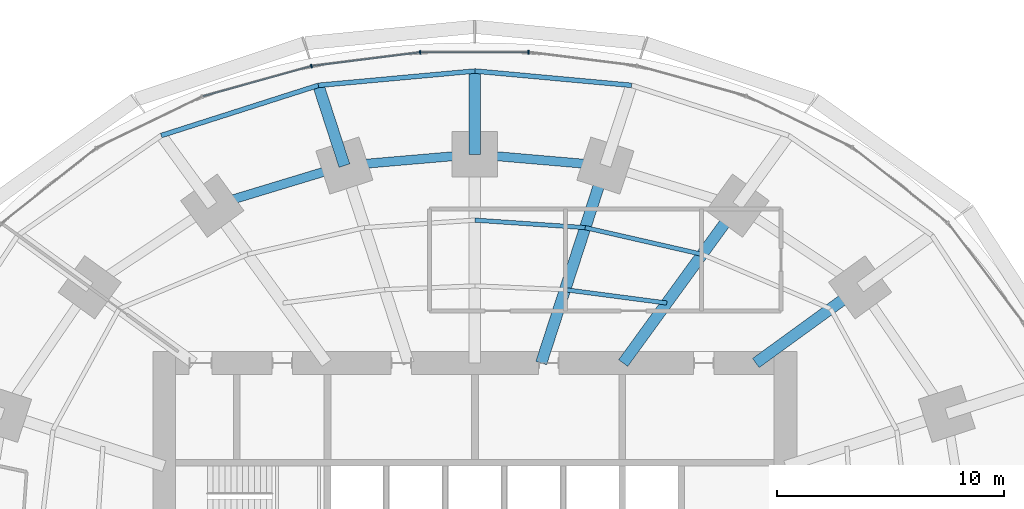
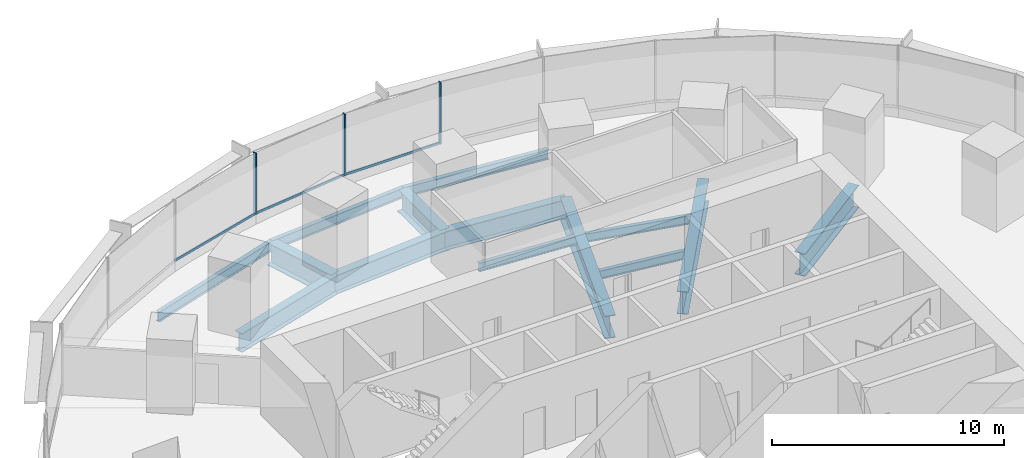
# One storey, part 8 of 15: 14 beams, 6 members, 1 element without a shape of its own.
"""IFC4 building model written with IfcOpenShell, lengths in metres."""

from ifc_helpers import new_model, si_unit, direction, frame, origin, origin_2d, place, context, subcontext, project, spatial, rectangle, i_section, extrude, material, material_profile, profile_set, type_object, element, aggregate, save


model = new_model("IFC4")

# Units and contexts
model_context = context("Model", 3, precision=1e-05, world=origin(), true_north=direction((0.0, 1.0)))
body_context = subcontext(model_context, "Body", "Model", "MODEL_VIEW")
ifc_project = project(units=[si_unit("LENGTHUNIT", "METRE"), si_unit("AREAUNIT", "SQUARE_METRE"), si_unit("VOLUMEUNIT", "CUBIC_METRE"), si_unit("PLANEANGLEUNIT", "RADIAN"), si_unit("MASSUNIT", "GRAM", prefix="KILO")], contexts=[model_context])

# Site, building, storey
site_placement = place(None, origin())
site = spatial("IfcSite", under=ifc_project, at=site_placement, CompositionType="ELEMENT")
building_placement = place(site_placement, origin())
building = spatial("IfcBuilding", under=site, at=building_placement, Name="Marramba Exchange Tower", CompositionType="ELEMENT")
storey_placement = place(building_placement, frame((0.0, 0.0, 61.60009765625)))
storey = spatial("IfcBuildingStorey", under=building, at=storey_placement, Name="L14", CompositionType="ELEMENT", Elevation=61.60009765625)

# Beams
ifc_material_1 = material(Name="Steel AS/NZS 3679.2 grade 300", Category="steel")
ifc_material_profile_1 = material_profile(ifc_material_1, i_section(OverallWidth=0.5, OverallDepth=1.199951171875, WebThickness=0.01611328125, FlangeThickness=0.0400390625, at=origin_2d()), Name="1200WB455")
ifc_profile_set_1 = profile_set([ifc_material_profile_1], Name="Steel AS/NZS 3679.2 grade 300")
beam_type_1 = type_object("IfcBeamType", Name="Cantilever girder 1200WB455", PredefinedType="BEAM", material=ifc_profile_set_1)
beam_1_placement = place(storey_placement, frame((0.0, 18.2041015625, -0.760009765625), z_axis=(0.0, 1.0, 0.0), x_axis=(-1.0, 0.0, 0.0)))
element("IfcBeam", 1, at=beam_1_placement, inside=storey, type_object=beam_type_1, Name="Cantilever girder L14 TC06", PredefinedType="BEAM", context=body_context, shape_type="SweptSolid", body=[
    extrude(i_section(OverallWidth=0.5, OverallDepth=1.199951171875, WebThickness=0.01611328125, FlangeThickness=0.0400390625, at=origin_2d()), origin(), (0.0, 0.0, 1.0), 3.673828125),
])
beam_2_placement = place(storey_placement, frame((-5.75390625, 17.70849609375, -0.760009765625), z_axis=(-0.308973290646, 0.951070715387, 0.0), x_axis=(-0.951070715387, -0.308973290646, 0.0)))
element("IfcBeam", 2, at=beam_2_placement, inside=storey, type_object=beam_type_1, Name="Cantilever girder L14 TC07", PredefinedType="BEAM", context=body_context, shape_type="SweptSolid", body=[
    extrude(i_section(OverallWidth=0.5, OverallDepth=1.199951171875, WebThickness=0.01611328125, FlangeThickness=0.0400390625, at=origin_2d()), origin(), (0.0, 0.0, 1.0), 3.72021484375),
])
ifc_material_2 = material(Name="Steel AS/NZS 3679.1 grade 300", Category="steel")
ifc_material_profile_2 = material_profile(ifc_material_2, i_section(OverallWidth=0.18994140625, OverallDepth=0.4541015625, WebThickness=0.008544921875, FlangeThickness=0.0126953125, FilletRadius=0.011474609375, at=origin_2d()), Name="460UB67.1")
ifc_profile_set_2 = profile_set([ifc_material_profile_2], Name="Steel AS/NZS 3679.1 grade 300")
beam_type_2 = type_object("IfcBeamType", Name="Floor joist 460UB67.1", PredefinedType="JOIST", material=ifc_profile_set_2)
beam_3_placement = place(storey_placement, frame((8.4619140625, 11.646728515625, -0.38720703125), z_axis=(-0.991480538255, 0.130254912618, 0.0), x_axis=(-0.130254912618, -0.991480538255, 0.0)))
element("IfcBeam", 3, at=beam_3_placement, inside=storey, type_object=beam_type_2, Name="Joist L14 bay 04 row 1", PredefinedType="JOIST", context=body_context, shape_type="SweptSolid", body=[
    extrude(i_section(OverallWidth=0.18994140625, OverallDepth=0.4541015625, WebThickness=0.008544921875, FlangeThickness=0.0126953125, FilletRadius=0.011474609375, at=origin_2d()), origin(), (0.0, 0.0, 1.0), 4.524658203125),
])
beam_4_placement = place(storey_placement, frame((10.021728515625, 13.793701171875, -0.38720703125), z_axis=(-0.974859652292, 0.222819788916, 0.0), x_axis=(-0.222819788916, -0.974859652292, 0.0)))
element("IfcBeam", 4, at=beam_4_placement, inside=storey, type_object=beam_type_2, Name="Joist L14 bay 04 row 2", PredefinedType="JOIST", context=body_context, shape_type="SweptSolid", body=[
    extrude(i_section(OverallWidth=0.18994140625, OverallDepth=0.4541015625, WebThickness=0.008544921875, FlangeThickness=0.0126953125, FilletRadius=0.011474609375, at=origin_2d()), origin(), (0.0, 0.0, 1.0), 5.2900390625),
])
beam_5_placement = place(storey_placement, frame((4.86474609375, 14.972412109375, -0.38720703125), z_axis=(-0.997702652202, 0.067745241816, 0.0), x_axis=(-0.067745241816, -0.997702652202, 0.0)))
element("IfcBeam", 5, at=beam_5_placement, inside=storey, type_object=beam_type_2, Name="Joist L14 bay 05 row 2", PredefinedType="JOIST", context=body_context, shape_type="SweptSolid", body=[
    extrude(i_section(OverallWidth=0.18994140625, OverallDepth=0.4541015625, WebThickness=0.008544921875, FlangeThickness=0.0126953125, FilletRadius=0.011474609375, at=origin_2d()), origin(), (0.0, 0.0, 1.0), 4.8759765625),
])
ifc_material_profile_3 = material_profile(ifc_material_1, i_section(OverallWidth=0.5, OverallDepth=1.199951171875, WebThickness=0.01611328125, FlangeThickness=0.0400390625, at=origin_2d()), Name="1200WB455")
ifc_profile_set_3 = profile_set([ifc_material_profile_3], Name="Steel AS/NZS 3679.2 grade 300")
beam_type_3 = type_object("IfcBeamType", Name="Radial girder 1200WB455", PredefinedType="BEAM", material=ifc_profile_set_3)
beam_6_placement = place(storey_placement, frame((12.387451171875, 9.0, -0.760009765625), z_axis=(0.809025746925, 0.587773205252, 0.0), x_axis=(-0.587773205252, 0.809025746925, 0.0)))
element("IfcBeam", 6, at=beam_6_placement, inside=storey, type_object=beam_type_3, Name="Radial girder L14 TC03", PredefinedType="BEAM", context=body_context, shape_type="SweptSolid", body=[
    extrude(i_section(OverallWidth=0.5, OverallDepth=1.199951171875, WebThickness=0.01611328125, FlangeThickness=0.0400390625, at=origin_2d()), origin(), (0.0, 0.0, 1.0), 5.683837890625),
])
beam_7_placement = place(storey_placement, frame((6.538818359375, 9.0, -0.760009765625), z_axis=(0.587782439969, 0.80901903764, 0.0), x_axis=(-0.80901903764, 0.587782439969, 0.0)))
element("IfcBeam", 7, at=beam_7_placement, inside=storey, type_object=beam_type_3, Name="Radial girder L14 TC04", PredefinedType="BEAM", context=body_context, shape_type="SweptSolid", body=[
    extrude(i_section(OverallWidth=0.5, OverallDepth=1.199951171875, WebThickness=0.01611328125, FlangeThickness=0.0400390625, at=origin_2d()), origin(), (0.0, 0.0, 1.0), 8.578857421875),
])
beam_8_placement = place(storey_placement, frame((2.92431640625, 9.0, -0.760009765625), z_axis=(0.309019754162, 0.951055619582, 0.0), x_axis=(-0.951055619582, 0.309019754162, 0.0)))
element("IfcBeam", 8, at=beam_8_placement, inside=storey, type_object=beam_type_3, Name="Radial girder L14 TC05", PredefinedType="BEAM", context=body_context, shape_type="SweptSolid", body=[
    extrude(i_section(OverallWidth=0.5, OverallDepth=1.199951171875, WebThickness=0.01611328125, FlangeThickness=0.0400390625, at=origin_2d()), origin(), (0.0, 0.0, 1.0), 9.15673828125),
])
ifc_material_profile_4 = material_profile(ifc_material_1, i_section(OverallWidth=0.39990234375, OverallDepth=1.0, WebThickness=0.01611328125, FlangeThickness=0.031982421875, at=origin_2d()), Name="1000WB322")
ifc_profile_set_4 = profile_set([ifc_material_profile_4], Name="Steel AS/NZS 3679.2 grade 300")
beam_type_4 = type_object("IfcBeamType", Name="Ring beam 1000WB322", PredefinedType="SPANDREL", material=ifc_profile_set_4)
for number, where, z_axis, x_axis, name in (
    (9, (5.75390625, 17.70849609375, -0.66015625), (-0.996311003275, 0.085815993578, 0.0), (-0.085815993578, -0.996311003275, 0.0), "Ring beam L14 TC05-TC06"),
    (10, (0.0, 18.2041015625, -0.66015625), (-0.996311003275, -0.085815993578, 0.0), (0.085815993578, -0.996311003275, 0.0), "Ring beam L14 TC06-TC07"),
):
    element("IfcBeam", number, at=place(storey_placement, frame(where, z_axis=z_axis, x_axis=x_axis)), inside=storey, type_object=beam_type_4, Name=name, PredefinedType="SPANDREL", context=body_context, shape_type="SweptSolid", body=[
        extrude(i_section(OverallWidth=0.39990234375, OverallDepth=1.0, WebThickness=0.01611328125, FlangeThickness=0.031982421875, at=origin_2d()), origin(), (0.0, 0.0, 1.0), 5.775146484375),
    ])
beam_9_placement = place(storey_placement, frame((-5.75390625, 17.70849609375, -0.66015625), z_axis=(-0.956924542524, -0.290336735387, 0.0), x_axis=(0.290336735387, -0.956924542524, 0.0)))
element("IfcBeam", 11, at=beam_9_placement, inside=storey, type_object=beam_type_4, Name="Ring beam L14 TC07-TC08", PredefinedType="SPANDREL", context=body_context, shape_type="SweptSolid", body=[
    extrude(i_section(OverallWidth=0.39990234375, OverallDepth=1.0, WebThickness=0.01611328125, FlangeThickness=0.031982421875, at=origin_2d()), origin(), (0.0, 0.0, 1.0), 6.089599609375),
])
ifc_material_profile_5 = material_profile(ifc_material_2, i_section(OverallWidth=0.208984375, OverallDepth=0.528076171875, WebThickness=0.009521484375, FlangeThickness=0.01318359375, FilletRadius=0.013916015625, at=origin_2d()), Name="530UB82.0")
ifc_profile_set_5 = profile_set([ifc_material_profile_5], Name="Steel AS/NZS 3679.1 grade 300")
beam_type_5 = type_object("IfcBeamType", Name="Slab edge beam 530UB82.0", PredefinedType="SPANDREL", material=ifc_profile_set_5)
for number, where, z_axis, x_axis, name in (
    (12, (6.9033203125, 21.24658203125, -0.424072265625), (-0.995843984921, 0.091075560369, 0.0), (-0.091075560369, -0.995843984921, 0.0), "Slab edge beam L14 TC05-TC06"),
    (13, (0.0, 21.8779296875, -0.424072265625), (-0.995843984921, -0.091075560369, 0.0), (0.091075560369, -0.995843984921, 0.0), "Slab edge beam L14 TC06-TC07"),
):
    element("IfcBeam", number, at=place(storey_placement, frame(where, z_axis=z_axis, x_axis=x_axis)), inside=storey, type_object=beam_type_5, Name=name, PredefinedType="SPANDREL", context=body_context, shape_type="SweptSolid", body=[
        extrude(i_section(OverallWidth=0.208984375, OverallDepth=0.528076171875, WebThickness=0.009521484375, FlangeThickness=0.01318359375, FilletRadius=0.013916015625, at=origin_2d()), origin(), (0.0, 0.0, 1.0), 6.93212890625),
    ])
beam_10_placement = place(storey_placement, frame((-6.9033203125, 21.24658203125, -0.424072265625), z_axis=(-0.952577642997, -0.304295635957, 0.0), x_axis=(0.304295635957, -0.952577642997, 0.0)))
element("IfcBeam", 14, at=beam_10_placement, inside=storey, type_object=beam_type_5, Name="Slab edge beam L14 TC07-TC08", PredefinedType="SPANDREL", context=body_context, shape_type="SweptSolid", body=[
    extrude(i_section(OverallWidth=0.208984375, OverallDepth=0.528076171875, WebThickness=0.009521484375, FlangeThickness=0.01318359375, FilletRadius=0.013916015625, at=origin_2d()), origin(), (0.0, 0.0, 1.0), 7.2705078125),
])

# Curtain wall, members
ifc_material_3 = material(Name="Aluminium framing, bronze anodised", Category="aluminium")
curtain_wall_type = type_object("IfcCurtainWallType", Name="Trading floor ribbon curtain wall", PredefinedType="USERDEFINED", material=ifc_material_3)
curtain_wall_placement = place(storey_placement, origin())
curtain_wall = element("IfcCurtainWall", 15, at=curtain_wall_placement, inside=storey, type_object=curtain_wall_type, Name="Curtain wall CW3 L14 F06-F10", ObjectType="RIBBON CURTAIN WALL", PredefinedType="USERDEFINED")
ifc_material_4 = material(Name="Aluminium mullion, bronze anodised", Category="aluminium")
ifc_material_profile_6 = material_profile(ifc_material_4, rectangle(XDim=0.159912109375, YDim=0.06005859375, at=origin_2d()), Name="CW3 mullion 60x160")
ifc_profile_set_6 = profile_set([ifc_material_profile_6], Name="Aluminium mullion, bronze anodised")
member_type_1 = type_object("IfcMemberType", Name="Trading floor ribbon curtain wall mullion", PredefinedType="MULLION", material=ifc_profile_set_6)
member_1_placement = place(storey_placement, frame((2.3564453125, 22.7060546875, 0.7998046875), z_axis=(0.0, 0.0, 1.0), x_axis=(0.0, -1.0, 0.0)))
member_1 = element("IfcMember", 16, at=member_1_placement, type_object=member_type_1, Name="CW3 mullion 1", PredefinedType="MULLION", context=body_context, shape_type="SweptSolid", body=[
    extrude(rectangle(XDim=0.159912109375, YDim=0.06005859375, at=origin_2d()), origin(), (0.0, 0.0, 1.0), 3.239990234375),
])
member_2_placement = place(storey_placement, frame((-2.416259765625, 22.7021484375, 0.7998046875), z_axis=(0.0, 0.0, 1.0), x_axis=(0.124872723099, -0.992172768738, 0.0)))
member_2 = element("IfcMember", 17, at=member_2_placement, type_object=member_type_1, Name="CW3 mullion 1", PredefinedType="MULLION", context=body_context, shape_type="SweptSolid", body=[
    extrude(rectangle(XDim=0.159912109375, YDim=0.06005859375, at=origin_2d()), origin(), (0.0, 0.0, 1.0), 3.239990234375),
])
member_3_placement = place(storey_placement, frame((-7.21044921875, 22.094482421875, 0.7998046875), z_axis=(0.0, 0.0, 1.0), x_axis=(0.267808735815, -0.963472096649, 0.0)))
member_3 = element("IfcMember", 18, at=member_3_placement, type_object=member_type_1, Name="CW3 mullion 1", PredefinedType="MULLION", context=body_context, shape_type="SweptSolid", body=[
    extrude(rectangle(XDim=0.159912109375, YDim=0.06005859375, at=origin_2d()), origin(), (0.0, 0.0, 1.0), 3.239990234375),
])
ifc_material_5 = material(Name="Aluminium transom, bronze anodised", Category="aluminium")
ifc_material_profile_7 = material_profile(ifc_material_5, rectangle(XDim=0.06005859375, YDim=0.1201171875, at=origin_2d()), Name="CW3 transom 60x120")
ifc_profile_set_7 = profile_set([ifc_material_profile_7], Name="Aluminium transom, bronze anodised")
member_type_2 = type_object("IfcMemberType", Name="Trading floor ribbon curtain wall transom", PredefinedType="USERDEFINED", material=ifc_profile_set_7)
member_4_placement = place(storey_placement, frame((2.326416015625, 22.7060546875, 0.829833984375), z_axis=(-1.0, 0.0, 0.0), x_axis=(0.0, -1.0, 0.0)))
member_4 = element("IfcMember", 19, at=member_4_placement, type_object=member_type_2, Name="CW3 sill transom", ObjectType="TRANSOM", PredefinedType="USERDEFINED", context=body_context, shape_type="SweptSolid", body=[
    extrude(rectangle(XDim=0.06005859375, YDim=0.1201171875, at=origin_2d()), origin(), (0.0, 0.0, 1.0), 4.712890625),
])
member_5_placement = place(storey_placement, frame((-2.446044921875, 22.698486328125, 0.829833984375), z_axis=(-0.992174445211, -0.124859402009, 0.0), x_axis=(0.124859402009, -0.992174445211, 0.0)))
member_5 = element("IfcMember", 20, at=member_5_placement, type_object=member_type_2, Name="CW3 sill transom", ObjectType="TRANSOM", PredefinedType="USERDEFINED", context=body_context, shape_type="SweptSolid", body=[
    extrude(rectangle(XDim=0.06005859375, YDim=0.1201171875, at=origin_2d()), origin(), (0.0, 0.0, 1.0), 4.77294921875),
])
member_6_placement = place(storey_placement, frame((-7.2392578125, 22.08642578125, 0.829833984375), z_axis=(-0.963472490071, -0.267807320431, 0.0), x_axis=(0.267807320431, -0.963472490071, 0.0)))
member_6 = element("IfcMember", 21, at=member_6_placement, type_object=member_type_2, Name="CW3 sill transom", ObjectType="TRANSOM", PredefinedType="USERDEFINED", context=body_context, shape_type="SweptSolid", body=[
    extrude(rectangle(XDim=0.06005859375, YDim=0.1201171875, at=origin_2d()), origin(), (0.0, 0.0, 1.0), 4.93017578125),
])
aggregate(curtain_wall, [member_1, member_4, member_2, member_5, member_3, member_6])

save(model, "model.ifc")
